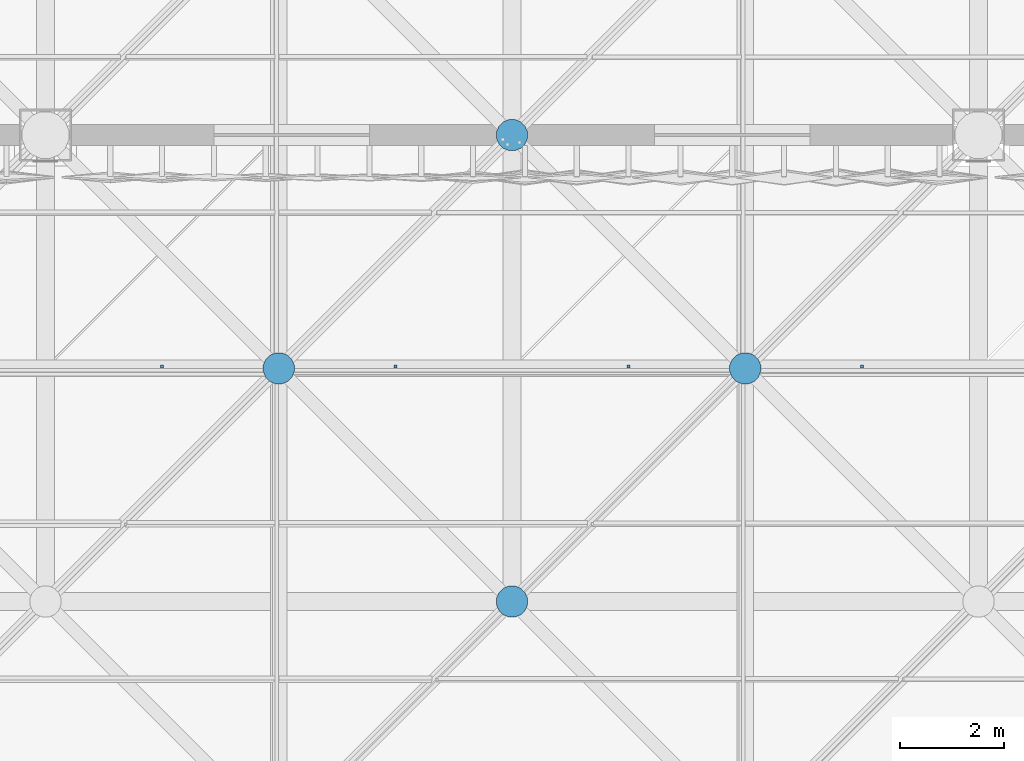
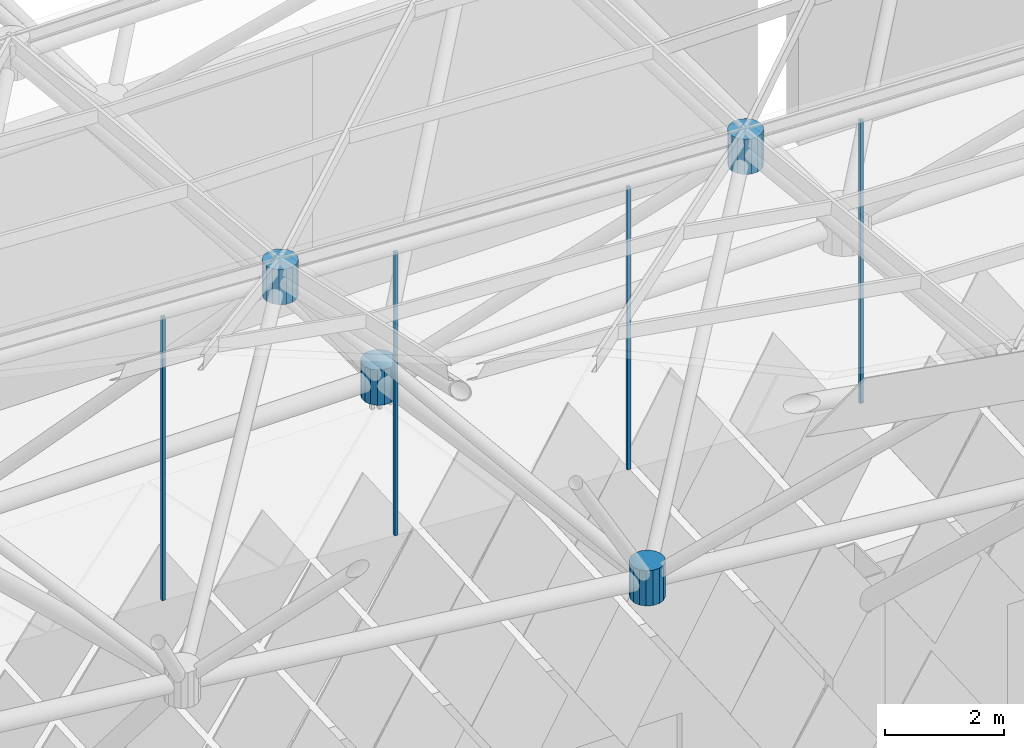
# One storey, part 289 of 437: 8 discrete accessories.
"""IFC4 building model written with IfcOpenShell, lengths in metres."""

from ifc_helpers import new_model, si_unit, direction, frame, origin, place, context, subcontext, project, spatial, polyline, outline, extrude, material, type_object, element, save


model = new_model("IFC4")

# Units and contexts
model_context = context("Model", 3, precision=1e-05, world=origin(), true_north=direction((0.0, 1.0)))
body_context = subcontext(model_context, "Body", "Model", "MODEL_VIEW")
ifc_project = project(units=[si_unit("LENGTHUNIT", "METRE"), si_unit("AREAUNIT", "SQUARE_METRE"), si_unit("VOLUMEUNIT", "CUBIC_METRE"), si_unit("PLANEANGLEUNIT", "RADIAN"), si_unit("MASSUNIT", "GRAM", prefix="KILO")], contexts=[model_context])

# Site, building, storey
site_placement = place(None, origin())
site = spatial("IfcSite", under=ifc_project, at=site_placement, CompositionType="ELEMENT")
building_placement = place(site_placement, origin())
building = spatial("IfcBuilding", under=site, at=building_placement, Name="Opaline Strait Convention Centre", CompositionType="ELEMENT")
storey_placement = place(building_placement, frame((0.0, 0.0, 11.5)))
storey = spatial("IfcBuildingStorey", under=building, at=storey_placement, Name="L02", CompositionType="ELEMENT", Elevation=11.5)

# Discrete accessories
ifc_material_1 = material(Name="Steel Q355B", Category="steel")
discrete_accessory_type_1 = type_object("IfcDiscreteAccessoryType", Name="Soffit hanger 60x60 steel", PredefinedType="BRACKET", material=ifc_material_1)
discrete_accessory_1_placement = place(storey_placement, frame((0.0, 0.0, 13.026611328125)))
element("IfcDiscreteAccessory", 1, at=discrete_accessory_1_placement, inside=storey, type_object=discrete_accessory_type_1, Name="Soffit hanger", PredefinedType="BRACKET", context=body_context, shape_type="SweptSolid", body=[
    extrude(outline(polyline([(119.219970703125, 49.5048828125), (119.280029296875, 49.5048828125), (119.280029296875, 49.56494140625), (119.219970703125, 49.56494140625), (119.219970703125, 49.5048828125)])), origin(), (0.0, 0.0, 1.0), 5.800048828125),
])
discrete_accessory_2_placement = place(storey_placement, frame((0.0, 0.0, 12.7802734375)))
element("IfcDiscreteAccessory", 2, at=discrete_accessory_2_placement, inside=storey, type_object=discrete_accessory_type_1, Name="Soffit hanger", PredefinedType="BRACKET", context=body_context, shape_type="SweptSolid", body=[
    extrude(outline(polyline([(123.719970703125, 49.5048828125), (123.780029296875, 49.5048828125), (123.780029296875, 49.56494140625), (123.719970703125, 49.56494140625), (123.719970703125, 49.5048828125)])), origin(), (0.0, 0.0, 1.0), 5.796630859375),
])
discrete_accessory_3_placement = place(storey_placement, frame((0.0, 0.0, 12.551513671875)))
element("IfcDiscreteAccessory", 3, at=discrete_accessory_3_placement, inside=storey, type_object=discrete_accessory_type_1, Name="Soffit hanger", PredefinedType="BRACKET", context=body_context, shape_type="SweptSolid", body=[
    extrude(outline(polyline([(128.219970703125, 49.5048828125), (128.280029296875, 49.5048828125), (128.280029296875, 49.56494140625), (128.219970703125, 49.56494140625), (128.219970703125, 49.5048828125)])), origin(), (0.0, 0.0, 1.0), 5.78125),
])
discrete_accessory_4_placement = place(storey_placement, frame((0.0, 0.0, 12.332763671875)))
element("IfcDiscreteAccessory", 4, at=discrete_accessory_4_placement, inside=storey, type_object=discrete_accessory_type_1, Name="Soffit hanger", PredefinedType="BRACKET", context=body_context, shape_type="SweptSolid", body=[
    extrude(outline(polyline([(132.719970703125, 49.5048828125), (132.780029296875, 49.5048828125), (132.780029296875, 49.56494140625), (132.719970703125, 49.56494140625), (132.719970703125, 49.5048828125)])), origin(), (0.0, 0.0, 1.0), 5.7939453125),
])
ifc_material_2 = material(Name="Cast steel ZG300-500H (300 MPa)", Category="steel")
discrete_accessory_type_2 = type_object("IfcDiscreteAccessoryType", Name="Space frame node hub D600", PredefinedType="USERDEFINED", material=ifc_material_2)
discrete_accessory_5_placement = place(storey_placement, frame((0.0, 0.0, 18.501220703125)))
element("IfcDiscreteAccessory", 5, at=discrete_accessory_5_placement, inside=storey, type_object=discrete_accessory_type_2, Name="Top node 5/2", ObjectType="NODE HUB", PredefinedType="USERDEFINED", context=body_context, shape_type="SweptSolid", body=[
    extrude(outline(polyline([(121.800048828125, 49.559814453125), (121.75439453125, 49.669921875), (121.669921875, 49.75439453125), (121.559814453125, 49.800048828125), (121.440185546875, 49.800048828125), (121.330078125, 49.75439453125), (121.24560546875, 49.669921875), (121.199951171875, 49.559814453125), (121.199951171875, 49.440185546875), (121.24560546875, 49.330078125), (121.330078125, 49.24560546875), (121.440185546875, 49.199951171875), (121.559814453125, 49.199951171875), (121.669921875, 49.24560546875), (121.75439453125, 49.330078125), (121.800048828125, 49.440185546875), (121.800048828125, 49.559814453125)])), origin(), (0.0, 0.0, 1.0), 0.719970703125),
])
discrete_accessory_6_placement = place(storey_placement, frame((0.0, 0.0, 18.013427734375)))
element("IfcDiscreteAccessory", 6, at=discrete_accessory_6_placement, inside=storey, type_object=discrete_accessory_type_2, Name="Top node 6/2", ObjectType="NODE HUB", PredefinedType="USERDEFINED", context=body_context, shape_type="SweptSolid", body=[
    extrude(outline(polyline([(130.800048828125, 49.559814453125), (130.75439453125, 49.669921875), (130.669921875, 49.75439453125), (130.559814453125, 49.800048828125), (130.440185546875, 49.800048828125), (130.330078125, 49.75439453125), (130.24560546875, 49.669921875), (130.199951171875, 49.559814453125), (130.199951171875, 49.440185546875), (130.24560546875, 49.330078125), (130.330078125, 49.24560546875), (130.440185546875, 49.199951171875), (130.559814453125, 49.199951171875), (130.669921875, 49.24560546875), (130.75439453125, 49.330078125), (130.800048828125, 49.440185546875), (130.800048828125, 49.559814453125)])), origin(), (0.0, 0.0, 1.0), 0.719970703125),
])
discrete_accessory_7_placement = place(storey_placement, frame((0.0, 0.0, 13.49462890625)))
element("IfcDiscreteAccessory", 7, at=discrete_accessory_7_placement, inside=storey, type_object=discrete_accessory_type_2, Name="Bottom node 5/1", ObjectType="NODE HUB", PredefinedType="USERDEFINED", context=body_context, shape_type="SweptSolid", body=[
    extrude(outline(polyline([(126.300048828125, 45.059814453125), (126.25439453125, 45.169921875), (126.169921875, 45.25439453125), (126.059814453125, 45.300048828125), (125.940185546875, 45.300048828125), (125.830078125, 45.25439453125), (125.74560546875, 45.169921875), (125.699951171875, 45.059814453125), (125.699951171875, 44.940185546875), (125.74560546875, 44.830078125), (125.830078125, 44.74560546875), (125.940185546875, 44.699951171875), (126.059814453125, 44.699951171875), (126.169921875, 44.74560546875), (126.25439453125, 44.830078125), (126.300048828125, 44.940185546875), (126.300048828125, 45.059814453125)])), origin(), (0.0, 0.0, 1.0), 0.719970703125),
])
discrete_accessory_8_placement = place(storey_placement, frame((0.0, 0.0, 12.139892578125)))
element("IfcDiscreteAccessory", 8, at=discrete_accessory_8_placement, inside=storey, type_object=discrete_accessory_type_2, Name="Bottom node 5/2", ObjectType="NODE HUB", PredefinedType="USERDEFINED", context=body_context, shape_type="SweptSolid", body=[
    extrude(outline(polyline([(126.300048828125, 54.059814453125), (126.25439453125, 54.169921875), (126.169921875, 54.25439453125), (126.059814453125, 54.300048828125), (125.940185546875, 54.300048828125), (125.830078125, 54.25439453125), (125.74560546875, 54.169921875), (125.699951171875, 54.059814453125), (125.699951171875, 53.940185546875), (125.74560546875, 53.830078125), (125.830078125, 53.74560546875), (125.940185546875, 53.699951171875), (126.059814453125, 53.699951171875), (126.169921875, 53.74560546875), (126.25439453125, 53.830078125), (126.300048828125, 53.940185546875), (126.300048828125, 54.059814453125)])), origin(), (0.0, 0.0, 1.0), 0.72021484375),
])

save(model, "model.ifc")
